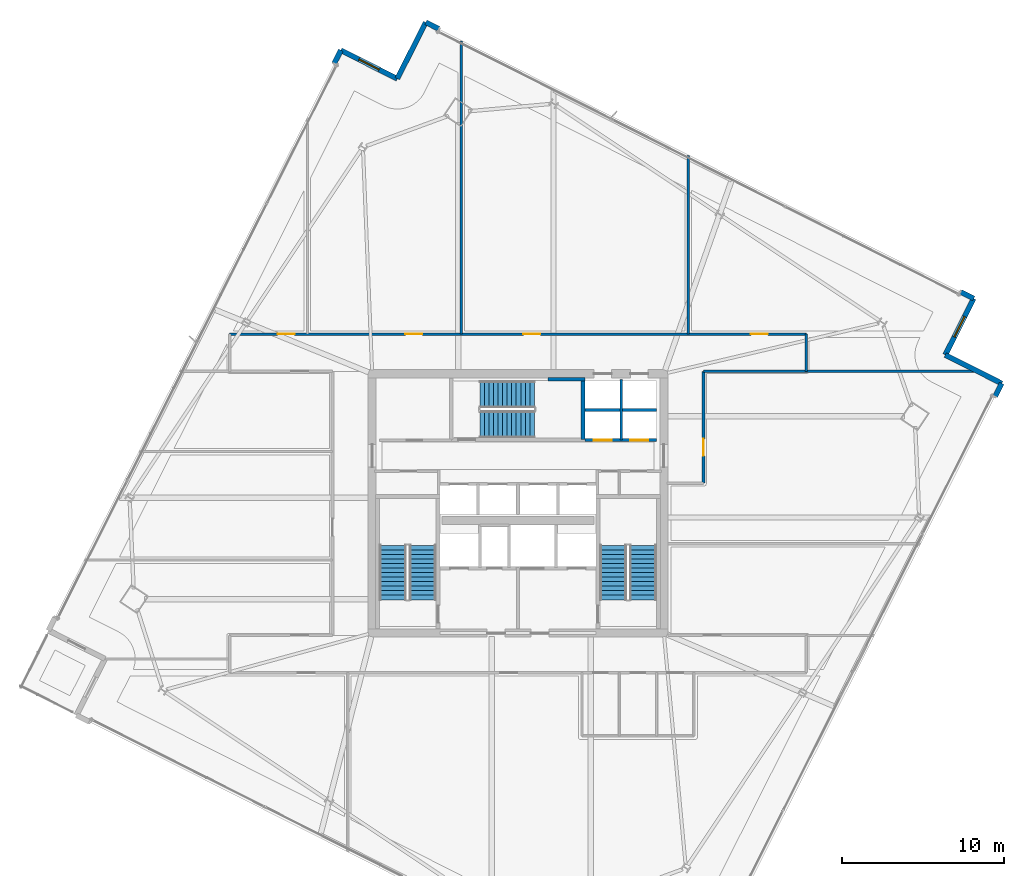
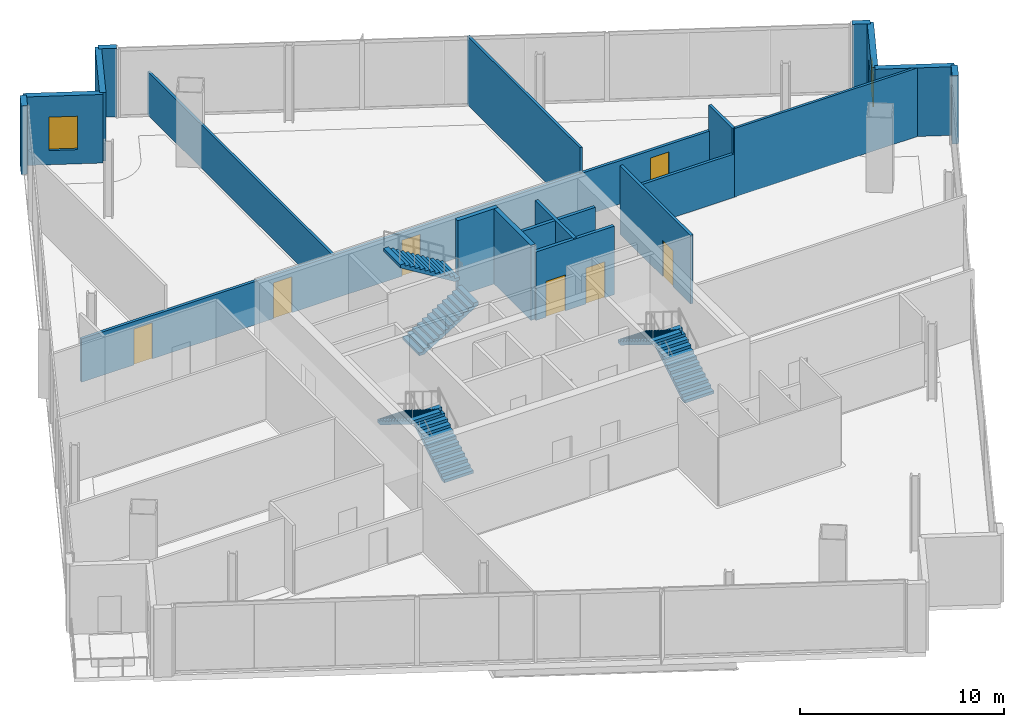
# One storey, part 22 of 27: 20 walls, 7 doors, 6 stair flights, 2 windows, 9 openings, 3 elements without a shape of their own.
"""IFC4 building model written with IfcOpenShell, lengths in metres."""

import ifcopenshell
import ifcopenshell.guid

model = None  # the IFC model being written
_history = None  # IfcOwnerHistory: only IFC2X3 demands one
_inside = {}  # id of a spatial element -> (the spatial element, [elements in it])
_under = {}  # id of a project, library or spatial element -> (it, [spatial elements below it])
_declared = {}  # id of a project -> (the project, [libraries it declares])
_typed = {}  # id of a type object -> (the type object, [elements of that type])
_made_of = {}  # id of a material, layer set ... -> (it, [elements and type objects made of it])


def new_model(schema):
    """Start an empty IFC model of exactly this schema.

    Asked for "IFC4X3", IfcOpenShell would pick the latest addendum, in which some entities
    have other attributes; the version numbers below select the first issue.
    IFC2X3 requires an IfcOwnerHistory on every rooted entity: one is made here for all.
    """
    global model, _history
    if schema == "IFC4X3":
        model = ifcopenshell.file(schema_version=(4, 3, 0, 0))
    else:
        model = ifcopenshell.file(schema=schema)
    _inside.clear()
    _under.clear()
    _declared.clear()
    _typed.clear()
    _made_of.clear()
    _history = None
    if model.schema == "IFC2X3":
        org = make("IfcOrganization", Name="unknown")
        user = make(
            "IfcPersonAndOrganization",
            ThePerson=make("IfcPerson", FamilyName="unknown"),
            TheOrganization=org,
        )
        app = make(
            "IfcApplication",
            ApplicationDeveloper=org,
            Version="unknown",
            ApplicationFullName="unknown",
            ApplicationIdentifier="unknown",
        )
        _history = make(
            "IfcOwnerHistory",
            OwningUser=user,
            OwningApplication=app,
            ChangeAction="ADDED",
            CreationDate=0,
        )
    return model


def make(cls, **values):
    """One entity of the class cls with the attributes given. An attribute that is None is left unset."""
    return model.create_entity(
        cls, **{name: value for name, value in values.items() if value is not None}
    )


def rooted(cls, **values):
    """An entity with a GlobalId (a new one), such as an element, a storey or a relation."""
    return make(cls, GlobalId=ifcopenshell.guid.new(), OwnerHistory=_history, **values)


def si_unit(unit_type, name, prefix=None):
    """IfcSIUnit, for example si_unit("LENGTHUNIT", "METRE", prefix="MILLI")."""
    return make("IfcSIUnit", UnitType=unit_type, Prefix=prefix, Name=name)


def assignment(units):
    """IfcUnitAssignment: the units of a project."""
    return None if units is None else make("IfcUnitAssignment", Units=units)


def point(xyz):
    """IfcCartesianPoint."""
    return None if xyz is None else make("IfcCartesianPoint", Coordinates=xyz)


def direction(xyz):
    """IfcDirection."""
    return None if xyz is None else make("IfcDirection", DirectionRatios=xyz)


def frame(location, z_axis=None, x_axis=None):
    """IfcAxis2Placement3D, a coordinate frame: its origin and axes. An axis left out is left unset."""
    return make(
        "IfcAxis2Placement3D",
        Location=point(location),
        Axis=direction(z_axis),
        RefDirection=direction(x_axis),
    )


def frame_2d(location, x_axis=None):
    """IfcAxis2Placement2D, a coordinate frame in the plane: its origin and x axis."""
    return make(
        "IfcAxis2Placement2D", Location=point(location), RefDirection=direction(x_axis)
    )


def origin():
    """The frame at (0, 0, 0) with its axes left unset."""
    return frame((0.0, 0.0, 0.0))


def place(relative_to, where):
    """IfcLocalPlacement: puts the frame where relative to a parent placement (None: the world)."""
    return make(
        "IfcLocalPlacement", PlacementRelTo=relative_to, RelativePlacement=where
    )


def context(
    kind, dimensions, precision=None, world=None, true_north=None, identifier=None
):
    """IfcGeometricRepresentationContext, for example the 3D "Model" context."""
    return make(
        "IfcGeometricRepresentationContext",
        ContextIdentifier=identifier,
        ContextType=kind,
        CoordinateSpaceDimension=dimensions,
        Precision=precision,
        WorldCoordinateSystem=world,
        TrueNorth=true_north,
    )


def subcontext(parent, identifier, kind, view, scale=None):
    """IfcGeometricRepresentationSubContext, for example "Body" below "Model"."""
    return make(
        "IfcGeometricRepresentationSubContext",
        ContextIdentifier=identifier,
        ContextType=kind,
        ParentContext=parent,
        TargetScale=scale,
        TargetView=view,
    )


def project(units=None, contexts=None):
    """IfcProject with its units and contexts."""
    return rooted(
        "IfcProject",
        Name="project",
        RepresentationContexts=contexts,
        UnitsInContext=assignment(units),
    )


def spatial(cls, under=None, at=None, **own):
    """A site, building, storey or space (cls), placed at a placement, below another one or the project."""
    s = rooted(cls, ObjectPlacement=at, **own)
    if under is not None:
        _under.setdefault(under.id(), (under, []))[1].append(s)
    return s


def polyline(points):
    """IfcPolyline through the points."""
    return make("IfcPolyline", Points=[point(p) for p in points])


def profile(cls, at=None, kind="AREA", **sizes):
    """A parametric profile (cls). Its sizes go by their IFC names, for example OverallWidth=200.0."""
    return make(cls, ProfileType=kind, Position=at, **sizes)


def rectangle(**sizes):
    """IfcRectangleProfileDef."""
    return profile("IfcRectangleProfileDef", **sizes)


def outline(outer, holes=None, kind="AREA"):
    """IfcArbitraryClosedProfileDef: a profile drawn as a closed curve; with holes, ...WithVoids."""
    if holes is None:
        return make("IfcArbitraryClosedProfileDef", ProfileType=kind, OuterCurve=outer)
    return make(
        "IfcArbitraryProfileDefWithVoids",
        ProfileType=kind,
        OuterCurve=outer,
        InnerCurves=holes,
    )


def extrude(swept, where, along, depth):
    """IfcExtrudedAreaSolid: the profile swept, set in the frame where, extruded along a direction by depth."""
    return make(
        "IfcExtrudedAreaSolid",
        SweptArea=swept,
        Position=where,
        ExtrudedDirection=direction(along),
        Depth=depth,
    )


def shape(context_of_items, identifier, shape_type, items):
    """IfcShapeRepresentation: the items that make up one representation, for example the "Body"."""
    return make(
        "IfcShapeRepresentation",
        ContextOfItems=context_of_items,
        RepresentationIdentifier=identifier,
        RepresentationType=shape_type,
        Items=items,
    )


def material(Name=None, Category=None):
    """IfcMaterial."""
    return make("IfcMaterial", Name=Name, Category=Category)


def layer(
    of_material, thickness, ventilated=None, Name=None, Category=None, Priority=None
):
    """IfcMaterialLayer: one layer of a wall or slab, of a material (None: an air gap)."""
    return make(
        "IfcMaterialLayer",
        Material=of_material,
        LayerThickness=thickness,
        IsVentilated=ventilated,
        Name=Name,
        Category=Category,
        Priority=Priority,
    )


def layer_set(layers, Name=None):
    """IfcMaterialLayerSet."""
    return make("IfcMaterialLayerSet", MaterialLayers=layers, LayerSetName=Name)


def made_of(thing, what):
    """Note that an element or type object is made of a material, layer set ...; save() writes the relation."""
    if what is not None:
        _made_of.setdefault(what.id(), (what, []))[1].append(thing)
    return thing


def type_object(cls, material=None, **own):
    """A type object (cls), such as IfcWallType, which elements share."""
    return made_of(rooted(cls, **own), material)


def element(
    cls,
    number,
    at=None,
    inside=None,
    cuts=None,
    type_object=None,
    material=None,
    context=None,
    identifier="Body",
    shape_type=None,
    held_by="IfcProductDefinitionShape",
    body=None,
    shapes=None,
    **own,
):
    """One element of the class cls, such as IfcWall. Its Tag is "e" and its number.

    at: its placement. inside: the storey or other place that contains it. cuts: it is an
    opening in that element (IfcRelVoidsElement). A single representation is given by context,
    identifier, shape_type and body (its items); several are given by shapes. held_by: the class
    of the entity that holds the representations. save() writes the other relations.
    """
    e = rooted(cls, Tag="e%d" % number, ObjectPlacement=at, **own)
    if body is not None:
        shapes = [shape(context, identifier, shape_type, body)]
    if shapes is not None:
        e.Representation = make(held_by, Representations=shapes)
    if inside is not None:
        _inside.setdefault(inside.id(), (inside, []))[1].append(e)
    if cuts is not None:
        rooted(
            "IfcRelVoidsElement", RelatingBuildingElement=cuts, RelatedOpeningElement=e
        )
    if type_object is not None:
        _typed.setdefault(type_object.id(), (type_object, []))[1].append(e)
    return made_of(e, material)


def fill(opening, filler):
    """IfcRelFillsElement: the door or window that sits in an opening."""
    return rooted(
        "IfcRelFillsElement",
        RelatingOpeningElement=opening,
        RelatedBuildingElement=filler,
    )


def aggregate(whole, parts):
    """IfcRelAggregates: a whole, such as a stair, and the parts it consists of."""
    return rooted("IfcRelAggregates", RelatingObject=whole, RelatedObjects=parts)


def save(model, path):
    """Write the relations noted so far, then the file.

    IfcRelAggregates (storeys below a building ...), IfcRelContainedInSpatialStructure (elements
    in a storey), IfcRelDefinesByType, IfcRelAssociatesMaterial and IfcRelDeclares: one each for
    every whole, place, type object, material and project.
    """
    for whole, parts in _under.values():
        aggregate(whole, parts)
    for where, things in _inside.values():
        rooted(
            "IfcRelContainedInSpatialStructure",
            RelatedElements=things,
            RelatingStructure=where,
        )
    for kind, things in _typed.values():
        rooted("IfcRelDefinesByType", RelatedObjects=things, RelatingType=kind)
    for what, things in _made_of.values():
        rooted("IfcRelAssociatesMaterial", RelatedObjects=things, RelatingMaterial=what)
    for by, libraries in _declared.values():
        rooted("IfcRelDeclares", RelatingContext=by, RelatedDefinitions=libraries)
    model.write(path)


model = new_model("IFC4")

# Units and contexts
model_context = context("Model", 3, precision=1e-05, world=origin(), true_north=direction((0.0, 1.0)))
body_context = subcontext(model_context, "Body", "Model", "MODEL_VIEW")
ifc_project = project(units=[si_unit("LENGTHUNIT", "METRE"), si_unit("AREAUNIT", "SQUARE_METRE"), si_unit("VOLUMEUNIT", "CUBIC_METRE"), si_unit("PLANEANGLEUNIT", "RADIAN"), si_unit("MASSUNIT", "GRAM", prefix="KILO")], contexts=[model_context])

# Site, building, storey
site_placement = place(None, origin())
site = spatial("IfcSite", under=ifc_project, at=site_placement, CompositionType="ELEMENT")
building_placement = place(site_placement, origin())
building = spatial("IfcBuilding", under=site, at=building_placement, Name="Haldenkirk Collegiate Tower", CompositionType="ELEMENT")
storey_placement = place(building_placement, frame((0.0, 0.0, 239.699951171875)))
storey = spatial("IfcBuildingStorey", under=building, at=storey_placement, Name="L60", CompositionType="ELEMENT", Elevation=239.699951171875)

# Walls
ifc_material_1 = material(Name="Precast concrete f'c 40 MPa", Category="concrete")
ifc_layer_1 = layer(ifc_material_1, 0.320068359375)
ifc_layer_set_1 = layer_set([ifc_layer_1], Name="Precast concrete f'c 40 MPa")
wall_type_1 = type_object("IfcWallType", Name="WL-EXT-TWR-320", PredefinedType="STANDARD", material=ifc_layer_set_1)
wall_1_placement = place(storey_placement, frame((65.853271484375, 33.40576171875, 0.0), z_axis=(0.0, 0.0, 1.0), x_axis=(-0.45024883958, -0.892903120421, 0.0)))
element("IfcWall", 1, at=wall_1_placement, inside=storey, type_object=wall_type_1, Name="L60 precast corner pier SL", PredefinedType="STANDARD", context=body_context, shape_type="SweptSolid", body=[
    extrude(rectangle(XDim=0.900146484375, YDim=0.320068359375, at=frame_2d((0.4501953125, 0.0))), origin(), (0.0, 0.0, 1.0), 4.10009765625),
])
wall_2_placement = place(storey_placement, frame((62.37060546875, 35.1611328125, 0.0), z_axis=(0.0, 0.0, 1.0), x_axis=(0.892982765682, -0.450090857711, 0.0)))
element("IfcWall", 2, at=wall_2_placement, inside=storey, type_object=wall_type_1, Name="L60 bronze precast notch wall 02", PredefinedType="STANDARD", context=body_context, shape_type="SweptSolid", body=[
    extrude(rectangle(XDim=3.900146484375, YDim=0.320068359375, at=frame_2d((1.9501953125, 0.0))), origin(), (0.0, 0.0, 1.0), 4.10009765625),
])

# Wall, opening, window
wall_3_placement = place(storey_placement, frame((64.1259765625, 38.643798828125, 0.0), z_axis=(0.0, 0.0, 1.0), x_axis=(-0.450090857711, -0.892982765682, 0.0)))
wall_3 = element("IfcWall", 3, at=wall_3_placement, inside=storey, type_object=wall_type_1, Name="L60 bronze precast notch wall 03", PredefinedType="STANDARD", context=body_context, shape_type="SweptSolid", body=[
    extrude(rectangle(XDim=3.900146484375, YDim=0.320068359375, at=frame_2d((1.9501953125, 0.0))), origin(), (0.0, 0.0, 1.0), 4.10009765625),
])
opening_1_placement = place(wall_3_placement, frame((1.25, 0.0, 0.85009765625)))
opening_1 = element("IfcOpeningElement", 4, at=opening_1_placement, cuts=wall_3, Name="Opening W-06", PredefinedType="OPENING", context=body_context, shape_type="SweptSolid", body=[
    extrude(rectangle(XDim=1.39990234375, YDim=2.0, at=frame_2d((0.699951171875, 1.0))), frame((0.0, 0.169921875, 0.0), z_axis=(0.0, -1.0, 0.0), x_axis=(1.0, 0.0, 0.0)), (0.0, 0.0, 1.0), 0.340087890625),
])
ifc_material_2 = material(Name="Low-E argon triple insulating glass", Category="glass")
ifc_layer_2 = layer(ifc_material_2, 0.090087890625)
ifc_layer_set_2 = layer_set([ifc_layer_2], Name="Low-E argon triple insulating glass")
window_type = type_object("IfcWindowType", Name="WN-Z4-1400X2000", PartitioningType="SINGLE_PANEL", PredefinedType="WINDOW", material=ifc_layer_set_2)
window_1_placement = place(opening_1_placement, origin())
window_1 = element("IfcWindow", 5, at=window_1_placement, inside=storey, type_object=window_type, Name="L60 precast-frame academic window 2", OverallHeight=2.0, OverallWidth=1.39990234375, PartitioningType="SINGLE_PANEL", PredefinedType="WINDOW", context=body_context, shape_type="SweptSolid", body=[
    extrude(rectangle(XDim=1.39990234375, YDim=2.0, at=frame_2d((0.699951171875, 1.0))), frame((0.0, 0.030029296875, 0.0), z_axis=(0.0, -1.0, 0.0), x_axis=(1.0, 0.0, 0.0)), (0.0, 0.0, 1.0), 0.06005859375),
])
fill(opening_1, window_1)

# Walls
for number, where, z_axis, x_axis, name in (
    (6, (30.304443359375, 55.691162109375, 0.0), (0.0, 0.0, 1.0), (0.893012151464, -0.450032551421, 0.0), "L60 precast corner pier EL"),
    (7, (63.322265625, 39.048828125, 0.0), (0.0, 0.0, 1.0), (0.893012151464, -0.450032551421, 0.0), "L60 precast corner pier ER"),
):
    element("IfcWall", number, at=place(storey_placement, frame(where, z_axis=z_axis, x_axis=x_axis)), inside=storey, type_object=wall_type_1, Name=name, PredefinedType="STANDARD", context=body_context, shape_type="SweptSolid", body=[
        extrude(rectangle(XDim=0.89990234375, YDim=0.320068359375, at=frame_2d((0.449951171875, 0.0))), origin(), (0.0, 0.0, 1.0), 4.10009765625),
    ])
wall_4_placement = place(storey_placement, frame((28.549072265625, 52.20849609375, 0.0), z_axis=(0.0, 0.0, 1.0), x_axis=(0.450090857711, 0.892982765682, 0.0)))
element("IfcWall", 8, at=wall_4_placement, inside=storey, type_object=wall_type_1, Name="L60 bronze precast notch wall 05", PredefinedType="STANDARD", context=body_context, shape_type="SweptSolid", body=[
    extrude(rectangle(XDim=3.900146484375, YDim=0.320068359375, at=frame_2d((1.9501953125, 0.0))), origin(), (0.0, 0.0, 1.0), 4.10009765625),
])

# Wall, opening, window
wall_5_placement = place(storey_placement, frame((25.06640625, 53.9638671875, 0.0), z_axis=(0.0, 0.0, 1.0), x_axis=(0.892982765682, -0.450090857711, 0.0)))
wall_5 = element("IfcWall", 9, at=wall_5_placement, inside=storey, type_object=wall_type_1, Name="L60 bronze precast notch wall 06", PredefinedType="STANDARD", context=body_context, shape_type="SweptSolid", body=[
    extrude(rectangle(XDim=3.900146484375, YDim=0.320068359375, at=frame_2d((1.9501953125, 0.0))), origin(), (0.0, 0.0, 1.0), 4.10009765625),
])
opening_2_placement = place(wall_5_placement, frame((1.25, 0.0, 0.85009765625)))
opening_2 = element("IfcOpeningElement", 10, at=opening_2_placement, cuts=wall_5, Name="Opening W-06", PredefinedType="OPENING", context=body_context, shape_type="SweptSolid", body=[
    extrude(rectangle(XDim=1.39990234375, YDim=2.0, at=frame_2d((0.699951171875, 1.0))), frame((0.0, 0.169921875, 0.0), z_axis=(0.0, -1.0, 0.0), x_axis=(1.0, 0.0, 0.0)), (0.0, 0.0, 1.0), 0.340087890625),
])
window_2_placement = place(opening_2_placement, origin())
window_2 = element("IfcWindow", 11, at=window_2_placement, inside=storey, type_object=window_type, Name="L60 precast-frame academic window 5", OverallHeight=2.0, OverallWidth=1.39990234375, PartitioningType="SINGLE_PANEL", PredefinedType="WINDOW", context=body_context, shape_type="SweptSolid", body=[
    extrude(rectangle(XDim=1.39990234375, YDim=2.0, at=frame_2d((0.699951171875, 1.0))), frame((0.0, 0.030029296875, 0.0), z_axis=(0.0, -1.0, 0.0), x_axis=(1.0, 0.0, 0.0)), (0.0, 0.0, 1.0), 0.06005859375),
])
fill(opening_2, window_2)

# Wall
wall_6_placement = place(storey_placement, frame((24.661376953125, 53.16015625, 0.0), z_axis=(0.0, 0.0, 1.0), x_axis=(0.450032551421, 0.893012151464, 0.0)))
element("IfcWall", 12, at=wall_6_placement, inside=storey, type_object=wall_type_1, Name="L60 precast corner pier NR", PredefinedType="STANDARD", context=body_context, shape_type="SweptSolid", body=[
    extrude(rectangle(XDim=0.89990234375, YDim=0.320068359375, at=frame_2d((0.449951171875, 0.0))), origin(), (0.0, 0.0, 1.0), 4.10009765625),
])

# Wall, openings, doors
ifc_material_3 = material(Name="Acoustic fire-rated gypsum partition", Category="concrete")
ifc_layer_3 = layer(ifc_material_3, 0.159912109375)
ifc_layer_set_3 = layer_set([ifc_layer_3], Name="Acoustic fire-rated gypsum partition")
wall_type_2 = type_object("IfcWallType", Name="WL-INT-CORR-160", PredefinedType="PARTITIONING", material=ifc_layer_set_3)
wall_7_placement = place(storey_placement, frame((18.199951171875, 36.449951171875, 0.0), z_axis=(0.0, 0.0, 1.0), x_axis=(1.0, 0.0, 0.0)))
wall_7 = element("IfcWall", 13, at=wall_7_placement, inside=storey, type_object=wall_type_2, Name="L60 interior partition IW-L60-CN", PredefinedType="PARTITIONING", context=body_context, shape_type="SweptSolid", body=[
    extrude(rectangle(XDim=35.60009765625, YDim=0.159912109375, at=frame_2d((17.800048828125, 0.0))), origin(), (0.0, 0.0, 1.0), 2.594970703125),
])
opening_3_placement = place(wall_7_placement, frame((2.965087890625, 0.0, 0.0)))
opening_3 = element("IfcOpeningElement", 14, at=opening_3_placement, cuts=wall_7, Name="Opening D-09", PredefinedType="OPENING", context=body_context, shape_type="SweptSolid", body=[
    extrude(rectangle(XDim=1.050048828125, YDim=2.14990234375, at=frame_2d((0.52490234375, 1.074951171875))), frame((0.0, 0.08984375, 0.0), z_axis=(0.0, -1.0, 0.0), x_axis=(1.0, 0.0, 0.0)), (0.0, 0.0, 1.0), 0.179931640625),
])
opening_4_placement = place(wall_7_placement, frame((10.85498046875, 0.0, 0.0)))
opening_4 = element("IfcOpeningElement", 15, at=opening_4_placement, cuts=wall_7, Name="Opening D-09", PredefinedType="OPENING", context=body_context, shape_type="SweptSolid", body=[
    extrude(rectangle(XDim=1.050048828125, YDim=2.14990234375, at=frame_2d((0.52490234375, 1.074951171875))), frame((0.0, 0.08984375, 0.0), z_axis=(0.0, -1.0, 0.0), x_axis=(1.0, 0.0, 0.0)), (0.0, 0.0, 1.0), 0.179931640625),
])
opening_5_placement = place(wall_7_placement, frame((18.135009765625, 0.0, 0.0)))
opening_5 = element("IfcOpeningElement", 16, at=opening_5_placement, cuts=wall_7, Name="Opening D-09", PredefinedType="OPENING", context=body_context, shape_type="SweptSolid", body=[
    extrude(rectangle(XDim=1.050048828125, YDim=2.14990234375, at=frame_2d((0.52490234375, 1.074951171875))), frame((0.0, 0.08984375, 0.0), z_axis=(0.0, -1.0, 0.0), x_axis=(1.0, 0.0, 0.0)), (0.0, 0.0, 1.0), 0.179931640625),
])
opening_6_placement = place(wall_7_placement, frame((32.175048828125, 0.0, 0.0)))
opening_6 = element("IfcOpeningElement", 17, at=opening_6_placement, cuts=wall_7, Name="Opening D-09", PredefinedType="OPENING", context=body_context, shape_type="SweptSolid", body=[
    extrude(rectangle(XDim=1.050048828125, YDim=2.14990234375, at=frame_2d((0.52490234375, 1.074951171875))), frame((0.0, 0.08984375, 0.0), z_axis=(0.0, -1.0, 0.0), x_axis=(1.0, 0.0, 0.0)), (0.0, 0.0, 1.0), 0.179931640625),
])
ifc_material_4 = material(Name="Solid-core architectural oak fire door", Category="wood")
ifc_layer_4 = layer(ifc_material_4, 0.06005859375)
ifc_layer_set_4 = layer_set([ifc_layer_4], Name="Solid-core architectural oak fire door")
door_type_1 = type_object("IfcDoorType", Name="DR-INT-FD60-1050", OperationType="NOTDEFINED", PredefinedType="DOOR", material=ifc_layer_set_4)
door_1_placement = place(opening_3_placement, origin())
door_1 = element("IfcDoor", 18, at=door_1_placement, inside=storey, type_object=door_type_1, Name="L60 Wet Science Laboratory 3 door", OperationType="SINGLE_SWING_RIGHT", OverallHeight=2.14990234375, OverallWidth=1.050048828125, PredefinedType="DOOR", context=body_context, shape_type="SweptSolid", body=[
    extrude(rectangle(XDim=1.050048828125, YDim=2.14990234375, at=frame_2d((0.52490234375, 1.074951171875))), frame((0.0, 0.02490234375, 0.0), z_axis=(0.0, -1.0, 0.0), x_axis=(1.0, 0.0, 0.0)), (0.0, 0.0, 1.0), 0.050048828125),
])
fill(opening_3, door_1)
door_2_placement = place(opening_4_placement, origin())
door_2 = element("IfcDoor", 19, at=door_2_placement, inside=storey, type_object=door_type_1, Name="L60 Optics Research Laboratory 4 door", OperationType="SINGLE_SWING_LEFT", OverallHeight=2.14990234375, OverallWidth=1.050048828125, PredefinedType="DOOR", context=body_context, shape_type="SweptSolid", body=[
    extrude(rectangle(XDim=1.050048828125, YDim=2.14990234375, at=frame_2d((0.52490234375, 1.074951171875))), frame((0.0, 0.02490234375, 0.0), z_axis=(0.0, -1.0, 0.0), x_axis=(1.0, 0.0, 0.0)), (0.0, 0.0, 1.0), 0.050048828125),
])
fill(opening_4, door_2)
door_3_placement = place(opening_5_placement, origin())
door_3 = element("IfcDoor", 20, at=door_3_placement, inside=storey, type_object=door_type_1, Name="L60 Departmental Archive 5 door", OperationType="SINGLE_SWING_RIGHT", OverallHeight=2.14990234375, OverallWidth=1.050048828125, PredefinedType="DOOR", context=body_context, shape_type="SweptSolid", body=[
    extrude(rectangle(XDim=1.050048828125, YDim=2.14990234375, at=frame_2d((0.52490234375, 1.074951171875))), frame((0.0, 0.02490234375, 0.0), z_axis=(0.0, -1.0, 0.0), x_axis=(1.0, 0.0, 0.0)), (0.0, 0.0, 1.0), 0.050048828125),
])
fill(opening_5, door_3)
door_4_placement = place(opening_6_placement, origin())
door_4 = element("IfcDoor", 21, at=door_4_placement, inside=storey, type_object=door_type_1, Name="L60 Instrument Store Room 6 door", OperationType="SINGLE_SWING_LEFT", OverallHeight=2.14990234375, OverallWidth=1.050048828125, PredefinedType="DOOR", context=body_context, shape_type="SweptSolid", body=[
    extrude(rectangle(XDim=1.050048828125, YDim=2.14990234375, at=frame_2d((0.52490234375, 1.074951171875))), frame((0.0, 0.02490234375, 0.0), z_axis=(0.0, -1.0, 0.0), x_axis=(1.0, 0.0, 0.0)), (0.0, 0.0, 1.0), 0.050048828125),
])
fill(opening_6, door_4)

# Wall
wall_8_placement = place(storey_placement, frame((47.449951171875, 34.14990234375, 0.0), z_axis=(0.0, 0.0, 1.0), x_axis=(1.0, 0.0, 0.0)))
element("IfcWall", 22, at=wall_8_placement, inside=storey, type_object=wall_type_2, Name="L60 interior partition IW-L60-CNE", PredefinedType="PARTITIONING", context=body_context, shape_type="SweptSolid", body=[
    extrude(rectangle(XDim=6.35009765625, YDim=0.159912109375, at=frame_2d((3.175048828125, 0.0))), origin(), (0.0, 0.0, 1.0), 2.594970703125),
])

# Wall, opening, door
wall_9_placement = place(storey_placement, frame((47.449951171875, 27.25, 0.0), z_axis=(0.0, 0.0, 1.0), x_axis=(0.0, 1.0, 0.0)))
wall_9 = element("IfcWall", 23, at=wall_9_placement, inside=storey, type_object=wall_type_2, Name="L60 interior partition IW-L60-CE", PredefinedType="PARTITIONING", context=body_context, shape_type="SweptSolid", body=[
    extrude(rectangle(XDim=6.89990234375, YDim=0.159912109375, at=frame_2d((3.449951171875, 0.0))), origin(), (0.0, 0.0, 1.0), 4.10009765625),
])
opening_7_placement = place(wall_9_placement, frame((1.68310546875, 0.0, 0.0)))
opening_7 = element("IfcOpeningElement", 24, at=opening_7_placement, cuts=wall_9, Name="Opening D-09", PredefinedType="OPENING", context=body_context, shape_type="SweptSolid", body=[
    extrude(rectangle(XDim=1.050048828125, YDim=2.14990234375, at=frame_2d((0.52490234375, 1.074951171875))), frame((0.0, 0.08984375, 0.0), z_axis=(0.0, -1.0, 0.0), x_axis=(1.0, 0.0, 0.0)), (0.0, 0.0, 1.0), 0.179931640625),
])
door_5_placement = place(opening_7_placement, origin())
door_5 = element("IfcDoor", 25, at=door_5_placement, inside=storey, type_object=door_type_1, Name="L60 Departmental Archive 11 door", OperationType="SINGLE_SWING_RIGHT", OverallHeight=2.14990234375, OverallWidth=1.050048828125, PredefinedType="DOOR", context=body_context, shape_type="SweptSolid", body=[
    extrude(rectangle(XDim=1.050048828125, YDim=2.14990234375, at=frame_2d((0.52490234375, 1.074951171875))), frame((0.0, 0.02490234375, 0.0), z_axis=(0.0, -1.0, 0.0), x_axis=(1.0, 0.0, 0.0)), (0.0, 0.0, 1.0), 0.050048828125),
])
fill(opening_7, door_5)

# Walls
wall_10_placement = place(storey_placement, frame((53.800048828125, 34.14990234375, 0.0), z_axis=(0.0, 0.0, 1.0), x_axis=(0.0, 1.0, 0.0)))
element("IfcWall", 26, at=wall_10_placement, inside=storey, type_object=wall_type_2, Name="L60 interior partition IW-L60-CNR", PredefinedType="PARTITIONING", context=body_context, shape_type="SweptSolid", body=[
    extrude(rectangle(XDim=2.300048828125, YDim=0.159912109375, at=frame_2d((1.14990234375, 0.0))), origin(), (0.0, 0.0, 1.0), 4.10009765625),
])
ifc_layer_5 = layer(ifc_material_3, 0.139892578125)
ifc_layer_set_5 = layer_set([ifc_layer_5], Name="Acoustic fire-rated gypsum partition")
wall_type_3 = type_object("IfcWallType", Name="WL-INT-DIV-140", PredefinedType="PARTITIONING", material=ifc_layer_set_5)
wall_11_placement = place(storey_placement, frame((53.800048828125, 34.14990234375, 0.0), z_axis=(0.0, 0.0, 1.0), x_axis=(1.0, 0.0, 0.0)))
element("IfcWall", 27, at=wall_11_placement, inside=storey, type_object=wall_type_3, Name="L60 interior partition IW-L60-BEN", PredefinedType="PARTITIONING", context=body_context, shape_type="SweptSolid", body=[
    extrude(rectangle(XDim=10.487548828125, YDim=0.139892578125, at=frame_2d((5.24365234375, 0.0))), origin(), (0.0, 0.0, 1.0), 4.10009765625),
])
wall_12_placement = place(storey_placement, frame((32.5, 36.449951171875, 0.0), z_axis=(0.0, 0.0, 1.0), x_axis=(0.0, 1.0, 0.0)))
element("IfcWall", 28, at=wall_12_placement, inside=storey, type_object=wall_type_3, Name="L60 interior partition IW-L60-RN2", PredefinedType="PARTITIONING", context=body_context, shape_type="SweptSolid", body=[
    extrude(rectangle(XDim=18.08984375, YDim=0.139892578125, at=frame_2d((9.044921875, 0.0))), origin(), (0.0, 0.0, 1.0), 2.594970703125),
])
wall_13_placement = place(storey_placement, frame((46.5, 36.449951171875, 0.0), z_axis=(0.0, 0.0, 1.0), x_axis=(0.0, 1.0, 0.0)))
element("IfcWall", 29, at=wall_13_placement, inside=storey, type_object=wall_type_3, Name="L60 interior partition IW-L60-RN3", PredefinedType="PARTITIONING", context=body_context, shape_type="SweptSolid", body=[
    extrude(rectangle(XDim=11.033203125, YDim=0.139892578125, at=frame_2d((5.5166015625, 0.0))), origin(), (0.0, 0.0, 1.0), 4.10009765625),
])

# Wall, openings, doors
ifc_material_5 = material(Name="Fire-rated gypsum shaftboard assembly", Category="concrete")
ifc_layer_6 = layer(ifc_material_5, 0.179931640625)
ifc_layer_set_6 = layer_set([ifc_layer_6], Name="Fire-rated gypsum shaftboard assembly")
wall_type_4 = type_object("IfcWallType", Name="WL-INT-SHAFT-180", PredefinedType="PARTITIONING", material=ifc_layer_set_6)
wall_14_placement = place(storey_placement, frame((40.1201171875, 29.89990234375, 0.0), z_axis=(0.0, 0.0, 1.0), x_axis=(1.0, 0.0, 0.0)))
wall_14 = element("IfcWall", 30, at=wall_14_placement, inside=storey, type_object=wall_type_4, Name="L60 interior partition IW-L60-PMS", PredefinedType="PARTITIONING", context=body_context, shape_type="SweptSolid", body=[
    extrude(rectangle(XDim=4.429931640625, YDim=0.179931640625, at=frame_2d((2.21484375, 0.0))), origin(), (0.0, 0.0, 1.0), 4.10009765625),
])
opening_8_placement = place(wall_14_placement, frame((0.56494140625, 0.0, 0.0)))
opening_8 = element("IfcOpeningElement", 31, at=opening_8_placement, cuts=wall_14, Name="Opening LD-11", PredefinedType="OPENING", context=body_context, shape_type="SweptSolid", body=[
    extrude(rectangle(XDim=1.10009765625, YDim=2.14990234375, at=frame_2d((0.550048828125, 1.074951171875))), frame((0.0, 0.099853515625, 0.0), z_axis=(0.0, -1.0, 0.0), x_axis=(1.0, 0.0, 0.0)), (0.0, 0.0, 1.0), 0.199951171875),
])
opening_9_placement = place(wall_14_placement, frame((2.81494140625, 0.0, 0.0)))
opening_9 = element("IfcOpeningElement", 32, at=opening_9_placement, cuts=wall_14, Name="Opening LD-11", PredefinedType="OPENING", context=body_context, shape_type="SweptSolid", body=[
    extrude(rectangle(XDim=1.10009765625, YDim=2.14990234375, at=frame_2d((0.550048828125, 1.074951171875))), frame((0.0, 0.099853515625, 0.0), z_axis=(0.0, -1.0, 0.0), x_axis=(1.0, 0.0, 0.0)), (0.0, 0.0, 1.0), 0.199951171875),
])
ifc_material_6 = material(Name="Brushed architectural stainless steel", Category="steel")
ifc_layer_7 = layer(ifc_material_6, 0.06005859375)
ifc_layer_set_7 = layer_set([ifc_layer_7], Name="Brushed architectural stainless steel")
door_type_2 = type_object("IfcDoorType", Name="LD-PASS-1100", OperationType="NOTDEFINED", PredefinedType="DOOR", material=ifc_layer_set_7)
door_6_placement = place(opening_8_placement, origin())
door_6 = element("IfcDoor", 33, at=door_6_placement, inside=storey, type_object=door_type_2, Name="L60 Elevator PM1 sliding landing door", OperationType="SLIDING_TO_LEFT", OverallHeight=2.14990234375, OverallWidth=1.10009765625, PredefinedType="DOOR", context=body_context, shape_type="SweptSolid", body=[
    extrude(rectangle(XDim=1.10009765625, YDim=2.14990234375, at=frame_2d((0.550048828125, 1.074951171875))), frame((0.0, 0.02490234375, 0.0), z_axis=(0.0, -1.0, 0.0), x_axis=(1.0, 0.0, 0.0)), (0.0, 0.0, 1.0), 0.050048828125),
])
fill(opening_8, door_6)
door_7_placement = place(opening_9_placement, origin())
door_7 = element("IfcDoor", 34, at=door_7_placement, inside=storey, type_object=door_type_2, Name="L60 Elevator PM2 sliding landing door", OperationType="SLIDING_TO_LEFT", OverallHeight=2.14990234375, OverallWidth=1.10009765625, PredefinedType="DOOR", context=body_context, shape_type="SweptSolid", body=[
    extrude(rectangle(XDim=1.10009765625, YDim=2.14990234375, at=frame_2d((0.550048828125, 1.074951171875))), frame((0.0, 0.02490234375, 0.0), z_axis=(0.0, -1.0, 0.0), x_axis=(1.0, 0.0, 0.0)), (0.0, 0.0, 1.0), 0.050048828125),
])
fill(opening_9, door_7)

# Walls
wall_15_placement = place(storey_placement, frame((40.1201171875, 31.75, 0.0), z_axis=(0.0, 0.0, 1.0), x_axis=(1.0, 0.0, 0.0)))
element("IfcWall", 35, at=wall_15_placement, inside=storey, type_object=wall_type_4, Name="L60 interior partition IW-L60-PMM", PredefinedType="PARTITIONING", context=body_context, shape_type="SweptSolid", body=[
    extrude(rectangle(XDim=4.429931640625, YDim=0.179931640625, at=frame_2d((2.21484375, 0.0))), origin(), (0.0, 0.0, 1.0), 4.10009765625),
])
wall_16_placement = place(storey_placement, frame((42.3701171875, 29.89990234375, 0.0), z_axis=(0.0, 0.0, 1.0), x_axis=(0.0, 1.0, 0.0)))
element("IfcWall", 36, at=wall_16_placement, inside=storey, type_object=wall_type_4, Name="L60 interior partition IW-L60-PMV", PredefinedType="PARTITIONING", context=body_context, shape_type="SweptSolid", body=[
    extrude(rectangle(XDim=3.75, YDim=0.179931640625, at=frame_2d((1.875, 0.0))), origin(), (0.0, 0.0, 1.0), 4.10009765625),
])
ifc_material_7 = material(Name="Concrete f'c 55 MPa", Category="concrete")
ifc_layer_8 = layer(ifc_material_7, 0.239990234375)
ifc_layer_set_8 = layer_set([ifc_layer_8], Name="Concrete f'c 55 MPa")
wall_type_5 = type_object("IfcWallType", Name="WL-SHAFT-240", PredefinedType="SHEAR", material=ifc_layer_set_8)
wall_17_placement = place(storey_placement, frame((40.02001953125, 29.929931640625, 0.0), z_axis=(0.0, 0.0, 1.0), x_axis=(0.0, 1.0, 0.0)))
element("IfcWall", 37, at=wall_17_placement, inside=storey, type_object=wall_type_5, Name="L60 stair shaft shear wall SW-L60-ST3E", PredefinedType="SHEAR", context=body_context, shape_type="SweptSolid", body=[
    extrude(rectangle(XDim=3.85009765625, YDim=0.239990234375, at=frame_2d((1.925048828125, 0.0))), origin(), (0.0, 0.0, 1.0), 4.5),
])
wall_18_placement = place(storey_placement, frame((37.85009765625, 33.659912109375, 0.0), z_axis=(0.0, 0.0, 1.0), x_axis=(1.0, 0.0, 0.0)))
element("IfcWall", 38, at=wall_18_placement, inside=storey, type_object=wall_type_5, Name="L60 stair shaft shear wall SW-L60-ST3N", PredefinedType="SHEAR", context=body_context, shape_type="SweptSolid", body=[
    extrude(rectangle(XDim=2.289794921875, YDim=0.239990234375, at=frame_2d((1.14501953125, 0.0))), origin(), (0.0, 0.0, 1.0), 4.5),
])

# Stair, stair flights
ifc_material_8 = material(Name="Concrete f'c 40 MPa", Category="concrete")
stair_type = type_object("IfcStairType", Name="STR-DOGLEG-1650", PredefinedType="HALF_TURN_STAIR", material=ifc_material_8)
stair_1_placement = place(storey_placement, origin())
stair_1 = element("IfcStair", 39, at=stair_1_placement, inside=storey, type_object=stair_type, Name="L60 Core Exit Stair ST-1", PredefinedType="HALF_TURN_STAIR")
stair_flight_type = type_object("IfcStairFlightType", Name="STF-FLIGHT-1650", PredefinedType="STRAIGHT", material=ifc_material_8)
stair_flight_1_placement = place(storey_placement, frame((30.125, 20.050048828125, 0.0), z_axis=(0.0, 0.0, 1.0), x_axis=(0.0, 1.0, 0.0)))
stair_flight_1 = element("IfcStairFlight", 40, at=stair_flight_1_placement, type_object=stair_flight_type, Name="ST-1 flight 1", NumberOfRisers=13, NumberOfTreads=12, PredefinedType="STRAIGHT", RiserHeight=0.173076923, TreadLength=0.28, context=body_context, shape_type="SweptSolid", body=[
    extrude(outline(polyline([(0.0, 0.0), (0.0, 0.173095703125), (0.280029296875, 0.173095703125), (0.280029296875, 0.34619140625), (0.56005859375, 0.34619140625), (0.56005859375, 0.519287109375), (0.840087890625, 0.519287109375), (0.840087890625, 0.6923828125), (1.1201171875, 0.6923828125), (1.1201171875, 0.865478515625), (1.39990234375, 0.865478515625), (1.39990234375, 1.03857421875), (1.679931640625, 1.03857421875), (1.679931640625, 1.21142578125), (1.9599609375, 1.21142578125), (1.9599609375, 1.384521484375), (2.239990234375, 1.384521484375), (2.239990234375, 1.5576171875), (2.52001953125, 1.5576171875), (2.52001953125, 1.730712890625), (2.800048828125, 1.730712890625), (2.800048828125, 1.90380859375), (3.080078125, 1.90380859375), (3.080078125, 2.076904296875), (3.360107421875, 2.076904296875), (3.360107421875, 2.25), (3.360107421875, 1.900634765625), (0.28515625, 0.0), (0.0, 0.0)])), frame((0.0, 0.824951171875, 0.0), z_axis=(0.0, -1.0, 0.0), x_axis=(1.0, 0.0, 0.0)), (0.0, 0.0, 1.0), 1.64990234375),
])
stair_flight_2_placement = place(storey_placement, frame((28.27490234375, 23.409912109375, 2.25), z_axis=(0.0, 0.0, 1.0), x_axis=(0.0, -1.0, 0.0)))
stair_flight_2 = element("IfcStairFlight", 41, at=stair_flight_2_placement, type_object=stair_flight_type, Name="ST-1 flight 2", NumberOfRisers=13, NumberOfTreads=12, PredefinedType="STRAIGHT", RiserHeight=0.173076923, TreadLength=0.28, context=body_context, shape_type="SweptSolid", body=[
    extrude(outline(polyline([(0.0, 0.0), (0.0, 0.173095703125), (0.280029296875, 0.173095703125), (0.280029296875, 0.34619140625), (0.56005859375, 0.34619140625), (0.56005859375, 0.519287109375), (0.840087890625, 0.519287109375), (0.840087890625, 0.6923828125), (1.1201171875, 0.6923828125), (1.1201171875, 0.865478515625), (1.39990234375, 0.865478515625), (1.39990234375, 1.03857421875), (1.679931640625, 1.03857421875), (1.679931640625, 1.21142578125), (1.9599609375, 1.21142578125), (1.9599609375, 1.384521484375), (2.239990234375, 1.384521484375), (2.239990234375, 1.5576171875), (2.52001953125, 1.5576171875), (2.52001953125, 1.730712890625), (2.800048828125, 1.730712890625), (2.800048828125, 1.90380859375), (3.080078125, 1.90380859375), (3.080078125, 2.076904296875), (3.360107421875, 2.076904296875), (3.360107421875, 2.25), (3.360107421875, 1.900634765625), (0.28515625, 0.0), (0.0, 0.0)])), frame((0.0, 0.824951171875, 0.0), z_axis=(0.0, -1.0, 0.0), x_axis=(1.0, 0.0, 0.0)), (0.0, 0.0, 1.0), 1.64990234375),
])
aggregate(stair_1, [stair_flight_1, stair_flight_2])

stair_2_placement = place(storey_placement, origin())
stair_2 = element("IfcStair", 42, at=stair_2_placement, inside=storey, type_object=stair_type, Name="L60 Core Exit Stair ST-2", PredefinedType="HALF_TURN_STAIR")
stair_flight_3_placement = place(storey_placement, frame((43.72509765625, 20.050048828125, 0.0), z_axis=(0.0, 0.0, 1.0), x_axis=(0.0, 1.0, 0.0)))
stair_flight_3 = element("IfcStairFlight", 43, at=stair_flight_3_placement, type_object=stair_flight_type, Name="ST-2 flight 1", NumberOfRisers=13, NumberOfTreads=12, PredefinedType="STRAIGHT", RiserHeight=0.173076923, TreadLength=0.28, context=body_context, shape_type="SweptSolid", body=[
    extrude(outline(polyline([(0.0, 0.0), (0.0, 0.173095703125), (0.280029296875, 0.173095703125), (0.280029296875, 0.34619140625), (0.56005859375, 0.34619140625), (0.56005859375, 0.519287109375), (0.840087890625, 0.519287109375), (0.840087890625, 0.6923828125), (1.1201171875, 0.6923828125), (1.1201171875, 0.865478515625), (1.39990234375, 0.865478515625), (1.39990234375, 1.03857421875), (1.679931640625, 1.03857421875), (1.679931640625, 1.21142578125), (1.9599609375, 1.21142578125), (1.9599609375, 1.384521484375), (2.239990234375, 1.384521484375), (2.239990234375, 1.5576171875), (2.52001953125, 1.5576171875), (2.52001953125, 1.730712890625), (2.800048828125, 1.730712890625), (2.800048828125, 1.90380859375), (3.080078125, 1.90380859375), (3.080078125, 2.076904296875), (3.360107421875, 2.076904296875), (3.360107421875, 2.25), (3.360107421875, 1.900634765625), (0.28515625, 0.0), (0.0, 0.0)])), frame((0.0, 0.824951171875, 0.0), z_axis=(0.0, -1.0, 0.0), x_axis=(1.0, 0.0, 0.0)), (0.0, 0.0, 1.0), 1.64990234375),
])
stair_flight_4_placement = place(storey_placement, frame((41.875, 23.409912109375, 2.25), z_axis=(0.0, 0.0, 1.0), x_axis=(0.0, -1.0, 0.0)))
stair_flight_4 = element("IfcStairFlight", 44, at=stair_flight_4_placement, type_object=stair_flight_type, Name="ST-2 flight 2", NumberOfRisers=13, NumberOfTreads=12, PredefinedType="STRAIGHT", RiserHeight=0.173076923, TreadLength=0.28, context=body_context, shape_type="SweptSolid", body=[
    extrude(outline(polyline([(0.0, 0.0), (0.0, 0.173095703125), (0.280029296875, 0.173095703125), (0.280029296875, 0.34619140625), (0.56005859375, 0.34619140625), (0.56005859375, 0.519287109375), (0.840087890625, 0.519287109375), (0.840087890625, 0.6923828125), (1.1201171875, 0.6923828125), (1.1201171875, 0.865478515625), (1.39990234375, 0.865478515625), (1.39990234375, 1.03857421875), (1.679931640625, 1.03857421875), (1.679931640625, 1.21142578125), (1.9599609375, 1.21142578125), (1.9599609375, 1.384521484375), (2.239990234375, 1.384521484375), (2.239990234375, 1.5576171875), (2.52001953125, 1.5576171875), (2.52001953125, 1.730712890625), (2.800048828125, 1.730712890625), (2.800048828125, 1.90380859375), (3.080078125, 1.90380859375), (3.080078125, 2.076904296875), (3.360107421875, 2.076904296875), (3.360107421875, 2.25), (3.360107421875, 1.900634765625), (0.28515625, 0.0), (0.0, 0.0)])), frame((0.0, 0.824951171875, 0.0), z_axis=(0.0, -1.0, 0.0), x_axis=(1.0, 0.0, 0.0)), (0.0, 0.0, 1.0), 1.64990234375),
])
aggregate(stair_2, [stair_flight_3, stair_flight_4])

stair_3_placement = place(storey_placement, origin())
stair_3 = element("IfcStair", 45, at=stair_3_placement, inside=storey, type_object=stair_type, Name="L60 Core Exit Stair ST-3", PredefinedType="HALF_TURN_STAIR")
stair_flight_5_placement = place(storey_placement, frame((33.64990234375, 30.875, 0.0), z_axis=(0.0, 0.0, 1.0), x_axis=(1.0, 0.0, 0.0)))
stair_flight_5 = element("IfcStairFlight", 46, at=stair_flight_5_placement, type_object=stair_flight_type, Name="ST-3 flight 1", NumberOfRisers=13, NumberOfTreads=12, PredefinedType="STRAIGHT", RiserHeight=0.173076923, TreadLength=0.28, context=body_context, shape_type="SweptSolid", body=[
    extrude(outline(polyline([(0.0, 0.0), (0.0, 0.173095703125), (0.280029296875, 0.173095703125), (0.280029296875, 0.34619140625), (0.56005859375, 0.34619140625), (0.56005859375, 0.519287109375), (0.840087890625, 0.519287109375), (0.840087890625, 0.6923828125), (1.1201171875, 0.6923828125), (1.1201171875, 0.865478515625), (1.39990234375, 0.865478515625), (1.39990234375, 1.03857421875), (1.679931640625, 1.03857421875), (1.679931640625, 1.21142578125), (1.9599609375, 1.21142578125), (1.9599609375, 1.384521484375), (2.239990234375, 1.384521484375), (2.239990234375, 1.5576171875), (2.52001953125, 1.5576171875), (2.52001953125, 1.730712890625), (2.800048828125, 1.730712890625), (2.800048828125, 1.90380859375), (3.080078125, 1.90380859375), (3.080078125, 2.076904296875), (3.360107421875, 2.076904296875), (3.360107421875, 2.25), (3.360107421875, 1.900634765625), (0.28515625, 0.0), (0.0, 0.0)])), frame((0.0, 0.824951171875, 0.0), z_axis=(0.0, -1.0, 0.0), x_axis=(1.0, 0.0, 0.0)), (0.0, 0.0, 1.0), 1.64990234375),
])
stair_flight_6_placement = place(storey_placement, frame((37.010009765625, 32.72509765625, 2.25), z_axis=(0.0, 0.0, 1.0), x_axis=(-1.0, 0.0, 0.0)))
stair_flight_6 = element("IfcStairFlight", 47, at=stair_flight_6_placement, type_object=stair_flight_type, Name="ST-3 flight 2", NumberOfRisers=13, NumberOfTreads=12, PredefinedType="STRAIGHT", RiserHeight=0.173076923, TreadLength=0.28, context=body_context, shape_type="SweptSolid", body=[
    extrude(outline(polyline([(0.0, 0.0), (0.0, 0.173095703125), (0.280029296875, 0.173095703125), (0.280029296875, 0.34619140625), (0.56005859375, 0.34619140625), (0.56005859375, 0.519287109375), (0.840087890625, 0.519287109375), (0.840087890625, 0.6923828125), (1.1201171875, 0.6923828125), (1.1201171875, 0.865478515625), (1.39990234375, 0.865478515625), (1.39990234375, 1.03857421875), (1.679931640625, 1.03857421875), (1.679931640625, 1.21142578125), (1.9599609375, 1.21142578125), (1.9599609375, 1.384521484375), (2.239990234375, 1.384521484375), (2.239990234375, 1.5576171875), (2.52001953125, 1.5576171875), (2.52001953125, 1.730712890625), (2.800048828125, 1.730712890625), (2.800048828125, 1.90380859375), (3.080078125, 1.90380859375), (3.080078125, 2.076904296875), (3.360107421875, 2.076904296875), (3.360107421875, 2.25), (3.360107421875, 1.900634765625), (0.28515625, 0.0), (0.0, 0.0)])), frame((0.0, 0.824951171875, 0.0), z_axis=(0.0, -1.0, 0.0), x_axis=(1.0, 0.0, 0.0)), (0.0, 0.0, 1.0), 1.64990234375),
])
aggregate(stair_3, [stair_flight_5, stair_flight_6])

save(model, "model.ifc")
